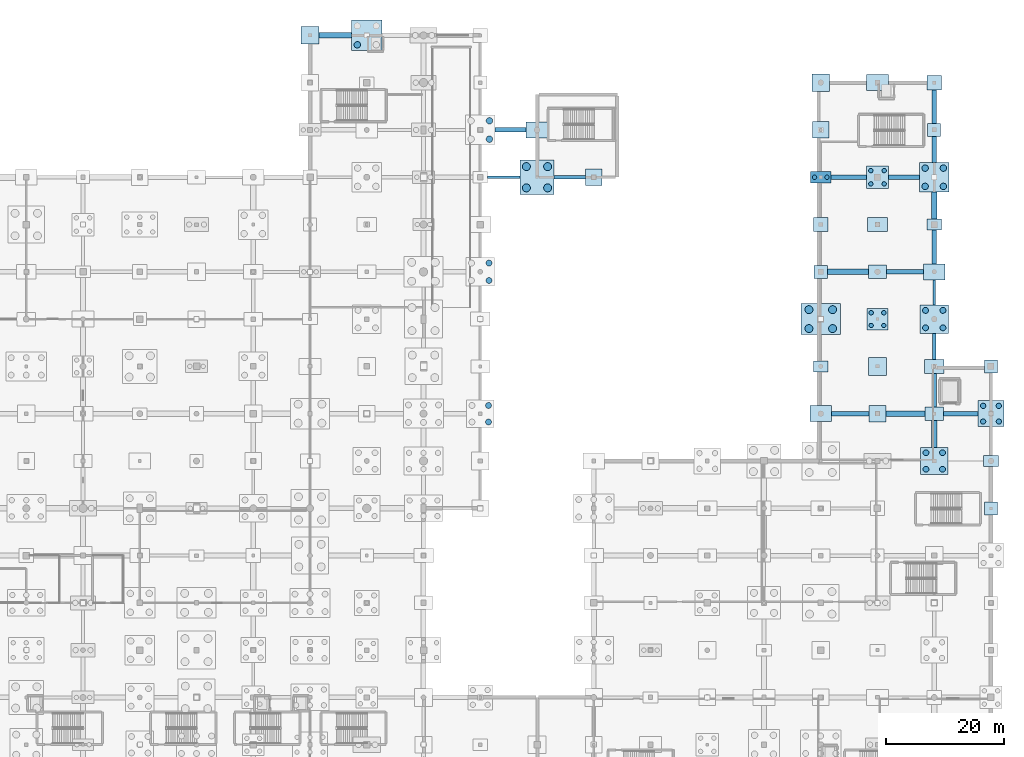
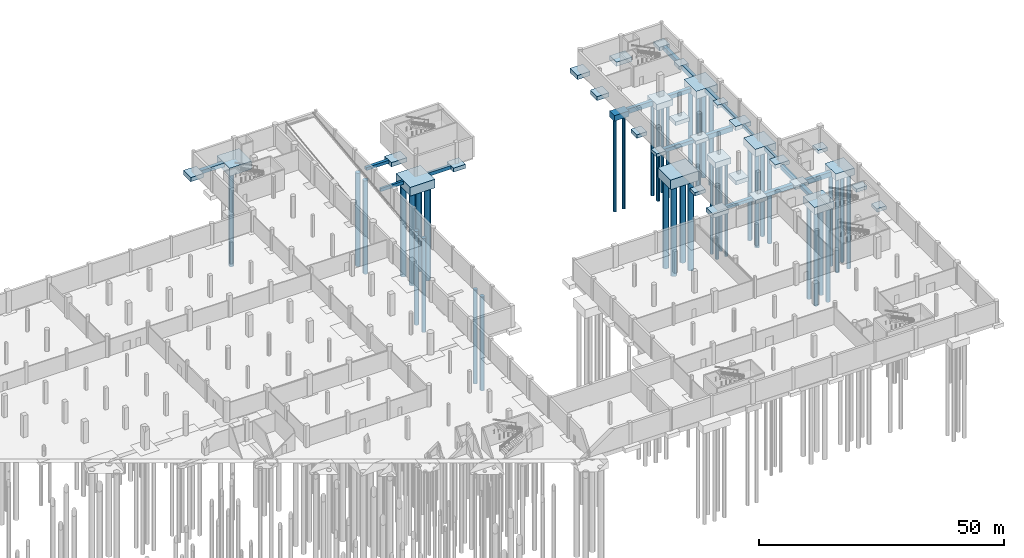
# One storey, part 12 of 44: 52 footings, 41 piles.
"""IFC4 building model written with IfcOpenShell, lengths in metres."""

from ifc_helpers import new_model, si_unit, direction, frame, origin, origin_2d, place, context, subcontext, project, spatial, rectangle, circle, extrude, material, material_profile, profile_set, type_object, element, save


model = new_model("IFC4")

# Units and contexts
model_context = context("Model", 3, precision=1e-05, world=origin(), true_north=direction((0.0, 1.0)))
body_context = subcontext(model_context, "Body", "Model", "MODEL_VIEW")
ifc_project = project(units=[si_unit("LENGTHUNIT", "METRE"), si_unit("AREAUNIT", "SQUARE_METRE"), si_unit("VOLUMEUNIT", "CUBIC_METRE"), si_unit("PLANEANGLEUNIT", "RADIAN"), si_unit("MASSUNIT", "GRAM", prefix="KILO")], contexts=[model_context])

# Site, building, storey
site_placement = place(None, origin())
site = spatial("IfcSite", under=ifc_project, at=site_placement, CompositionType="ELEMENT")
building_placement = place(site_placement, origin())
building = spatial("IfcBuilding", under=site, at=building_placement, Name="Danafjord Basin Convention Centre", CompositionType="ELEMENT")
storey_placement = place(building_placement, frame((0.0, 0.0, -5.39990234375)))
storey = spatial("IfcBuildingStorey", under=building, at=storey_placement, Name="B1", CompositionType="ELEMENT", Elevation=-5.39990234375)

# Footings
ifc_material_1 = material(Name="Concrete C40/50", Category="concrete")
footing_type_1 = type_object("IfcFootingType", Name="CAP-PC-01", PredefinedType="PILE_CAP", material=ifc_material_1)
footing_1_placement = place(storey_placement, frame((182.39990234375, 112.0, -1.900146484375), z_axis=(0.0, 0.0, 1.0), x_axis=(1.0, 0.0, 0.0)))
element("IfcFooting", 1, at=footing_1_placement, inside=storey, type_object=footing_type_1, Name="B1 pile cap PC-01 at (182.4, 112.0)", PredefinedType="PILE_CAP", context=body_context, shape_type="SweptSolid", body=[
    extrude(rectangle(XDim=3.5, YDim=2.0, at=origin_2d()), origin(), (0.0, 0.0, 1.0), 1.39990234375),
])
footing_type_2 = type_object("IfcFootingType", Name="CAP-PC-06", PredefinedType="PILE_CAP", material=ifc_material_1)
footing_2_placement = place(storey_placement, frame((192.0, 88.0, -2.0), z_axis=(0.0, 0.0, 1.0), x_axis=(1.0, 0.0, 0.0)))
element("IfcFooting", 2, at=footing_2_placement, inside=storey, type_object=footing_type_2, Name="B1 pile cap PC-06 at (192.0, 88.0)", PredefinedType="PILE_CAP", context=body_context, shape_type="SweptSolid", body=[
    extrude(rectangle(XDim=3.60009765625, YDim=3.60009765625, at=origin_2d()), origin(), (0.0, 0.0, 1.0), 1.5),
])
footing_type_3 = type_object("IfcFootingType", Name="CAP-PC-07", PredefinedType="PILE_CAP", material=ifc_material_1)
footing_3_placement = place(storey_placement, frame((192.0, 112.0, -2.05029296875), z_axis=(0.0, 0.0, 1.0), x_axis=(1.0, 0.0, 0.0)))
element("IfcFooting", 3, at=footing_3_placement, inside=storey, type_object=footing_type_3, Name="B1 pile cap PC-07 at (192.0, 112.0)", PredefinedType="PILE_CAP", context=body_context, shape_type="SweptSolid", body=[
    extrude(rectangle(XDim=3.800048828125, YDim=3.800048828125, at=origin_2d()), origin(), (0.0, 0.0, 1.0), 1.550048828125),
])
footing_type_4 = type_object("IfcFootingType", Name="CAP-PC-09", PredefinedType="PILE_CAP", material=ifc_material_1)
footing_4_placement = place(storey_placement, frame((211.199951171875, 72.0, -1.7001953125), z_axis=(0.0, 0.0, 1.0), x_axis=(1.0, 0.0, 0.0)))
element("IfcFooting", 4, at=footing_4_placement, inside=storey, type_object=footing_type_4, Name="B1 pile cap PC-09 at (211.2, 72.0)", PredefinedType="PILE_CAP", context=body_context, shape_type="SweptSolid", body=[
    extrude(rectangle(XDim=4.39990234375, YDim=4.39990234375, at=origin_2d()), origin(), (0.0, 0.0, 1.0), 1.699951171875),
])
footing_type_5 = type_object("IfcFootingType", Name="CAP-PC-10", PredefinedType="PILE_CAP", material=ifc_material_1)
footing_5_placement = place(storey_placement, frame((201.60009765625, 64.0, -1.80029296875), z_axis=(0.0, 0.0, 1.0), x_axis=(1.0, 0.0, 0.0)))
element("IfcFooting", 5, at=footing_5_placement, inside=storey, type_object=footing_type_5, Name="B1 pile cap PC-10 at (201.6, 64.0)", PredefinedType="PILE_CAP", context=body_context, shape_type="SweptSolid", body=[
    extrude(rectangle(XDim=4.60009765625, YDim=4.60009765625, at=origin_2d()), origin(), (0.0, 0.0, 1.0), 1.800048828125),
])
footing_type_6 = type_object("IfcFootingType", Name="CAP-PC-11", PredefinedType="PILE_CAP", material=ifc_material_1)
footing_6_placement = place(storey_placement, frame((201.60009765625, 88.0, -1.85009765625), z_axis=(0.0, 0.0, 1.0), x_axis=(1.0, 0.0, 0.0)))
element("IfcFooting", 6, at=footing_6_placement, inside=storey, type_object=footing_type_6, Name="B1 pile cap PC-11 at (201.6, 88.0)", PredefinedType="PILE_CAP", context=body_context, shape_type="SweptSolid", body=[
    extrude(rectangle(XDim=4.800048828125, YDim=4.800048828125, at=origin_2d()), origin(), (0.0, 0.0, 1.0), 1.85009765625),
])
footing_type_7 = type_object("IfcFootingType", Name="CAP-PC-12", PredefinedType="PILE_CAP", material=ifc_material_1)
footing_7_placement = place(storey_placement, frame((201.60009765625, 112.0, -1.9501953125), z_axis=(0.0, 0.0, 1.0), x_axis=(1.0, 0.0, 0.0)))
element("IfcFooting", 7, at=footing_7_placement, inside=storey, type_object=footing_type_7, Name="B1 pile cap PC-12 at (201.6, 112.0)", PredefinedType="PILE_CAP", context=body_context, shape_type="SweptSolid", body=[
    extrude(rectangle(XDim=5.0, YDim=5.0, at=origin_2d()), origin(), (0.0, 0.0, 1.0), 1.949951171875),
])
footing_type_8 = type_object("IfcFootingType", Name="CAP-PC-13", PredefinedType="PILE_CAP", material=ifc_material_1)
footing_8_placement = place(storey_placement, frame((105.60009765625, 136.0, -2.0), z_axis=(0.0, 0.0, 1.0), x_axis=(1.0, 0.0, 0.0)))
element("IfcFooting", 8, at=footing_8_placement, inside=storey, type_object=footing_type_8, Name="B1 pile cap PC-13 at (105.6, 136.0)", PredefinedType="PILE_CAP", context=body_context, shape_type="SweptSolid", body=[
    extrude(rectangle(XDim=5.199951171875, YDim=5.199951171875, at=origin_2d()), origin(), (0.0, 0.0, 1.0), 2.0),
])
footing_type_9 = type_object("IfcFootingType", Name="CAP-PC-15", PredefinedType="PILE_CAP", material=ifc_material_1)
footing_9_placement = place(storey_placement, frame((134.39990234375, 112.0, -2.150146484375), z_axis=(0.0, 0.0, 1.0), x_axis=(1.0, 0.0, 0.0)))
element("IfcFooting", 9, at=footing_9_placement, inside=storey, type_object=footing_type_9, Name="B1 pile cap PC-15 at (134.4, 112.0)", PredefinedType="PILE_CAP", context=body_context, shape_type="SweptSolid", body=[
    extrude(rectangle(XDim=5.800048828125, YDim=5.800048828125, at=origin_2d()), origin(), (0.0, 0.0, 1.0), 2.14990234375),
])
footing_type_10 = type_object("IfcFootingType", Name="CAP-PC-22", PredefinedType="PILE_CAP", material=ifc_material_1)
footing_10_placement = place(storey_placement, frame((182.39990234375, 88.0, -2.900146484375), z_axis=(0.0, 0.0, 1.0), x_axis=(1.0, 0.0, 0.0)))
element("IfcFooting", 10, at=footing_10_placement, inside=storey, type_object=footing_type_10, Name="B1 pile cap PC-22 at (182.4, 88.0)", PredefinedType="PILE_CAP", context=body_context, shape_type="SweptSolid", body=[
    extrude(rectangle(XDim=6.60009765625, YDim=5.199951171875, at=origin_2d()), origin(), (0.0, 0.0, 1.0), 2.39990234375),
])
ifc_material_profile_1 = material_profile(ifc_material_1, rectangle(XDim=0.800048828125, YDim=1.0, at=origin_2d()), Name="GB 800x1000")
ifc_profile_set_1 = profile_set([ifc_material_profile_1], Name="Concrete C40/50")
footing_type_11 = type_object("IfcFootingType", Name="FBM-FB-01", PredefinedType="FOOTING_BEAM", material=ifc_profile_set_1)
footing_11_placement = place(storey_placement, frame((193.89990234375, 112.0, -1.0), z_axis=(1.0, 0.0, 0.0), x_axis=(0.0, 1.0, 0.0)))
element("IfcFooting", 11, at=footing_11_placement, inside=storey, type_object=footing_type_11, Name="B1 foundation beam FB-01", PredefinedType="FOOTING_BEAM", context=body_context, shape_type="SweptSolid", body=[
    extrude(rectangle(XDim=0.800048828125, YDim=1.0, at=origin_2d()), origin(), (0.0, 0.0, 1.0), 5.2001953125),
])
footing_12_placement = place(storey_placement, frame((201.60009765625, 73.125, -1.0), z_axis=(0.0, 1.0, 0.0), x_axis=(-1.0, 0.0, 0.0)))
element("IfcFooting", 12, at=footing_12_placement, inside=storey, type_object=footing_type_11, Name="B1 foundation tie beam FB-01", PredefinedType="FOOTING_BEAM", context=body_context, shape_type="SweptSolid", body=[
    extrude(rectangle(XDim=0.800048828125, YDim=1.0, at=origin_2d()), origin(), (0.0, 0.0, 1.0), 5.675048828125),
])
footing_13_placement = place(storey_placement, frame((201.60009765625, 121.10009765625, -0.5), z_axis=(0.0, 1.0, 0.0), x_axis=(-1.0, 0.0, 0.0)))
element("IfcFooting", 13, at=footing_13_placement, inside=storey, type_object=footing_type_11, Name="B1 foundation tie beam FB-01", PredefinedType="FOOTING_BEAM", context=body_context, shape_type="SweptSolid", body=[
    extrude(rectangle(XDim=0.800048828125, YDim=1.0, at=origin_2d()), origin(), (0.0, 0.0, 1.0), 5.699951171875),
])
ifc_material_profile_2 = material_profile(ifc_material_1, rectangle(XDim=0.60009765625, YDim=0.89990234375, at=origin_2d()), Name="GB 600x900")
ifc_profile_set_2 = profile_set([ifc_material_profile_2], Name="Concrete C40/50")
footing_type_12 = type_object("IfcFootingType", Name="FBM-FB-02", PredefinedType="FOOTING_BEAM", material=ifc_profile_set_2)
footing_14_placement = place(storey_placement, frame((137.300048828125, 112.0, -0.4501953125), z_axis=(1.0, 0.0, 0.0), x_axis=(0.0, 1.0, 0.0)))
element("IfcFooting", 14, at=footing_14_placement, inside=storey, type_object=footing_type_12, Name="B1 foundation beam FB-02", PredefinedType="FOOTING_BEAM", context=body_context, shape_type="SweptSolid", body=[
    extrude(rectangle(XDim=0.60009765625, YDim=0.89990234375, at=origin_2d()), origin(), (0.0, 0.0, 1.0), 5.300048828125),
])
footing_15_placement = place(storey_placement, frame((201.60009765625, 81.199951171875, -0.4501953125), z_axis=(0.0, 1.0, 0.0), x_axis=(-1.0, 0.0, 0.0)))
element("IfcFooting", 15, at=footing_15_placement, inside=storey, type_object=footing_type_12, Name="B1 foundation tie beam FB-02", PredefinedType="FOOTING_BEAM", context=body_context, shape_type="SweptSolid", body=[
    extrude(rectangle(XDim=0.60009765625, YDim=0.89990234375, at=origin_2d()), origin(), (0.0, 0.0, 1.0), 4.400146484375),
])
ifc_material_profile_3 = material_profile(ifc_material_1, rectangle(XDim=0.5, YDim=0.800048828125, at=origin_2d()), Name="PCB 500x800")
ifc_profile_set_3 = profile_set([ifc_material_profile_3], Name="Concrete C40/50")
footing_type_13 = type_object("IfcFootingType", Name="FBM-FB-03", PredefinedType="FOOTING_BEAM", material=ifc_profile_set_3)
footing_16_placement = place(storey_placement, frame((126.050048828125, 112.0, -0.400146484375), z_axis=(1.0, 0.0, 0.0), x_axis=(0.0, 1.0, 0.0)))
element("IfcFooting", 16, at=footing_16_placement, inside=storey, type_object=footing_type_13, Name="B1 foundation beam FB-03", PredefinedType="FOOTING_BEAM", context=body_context, shape_type="SweptSolid", body=[
    extrude(rectangle(XDim=0.5, YDim=0.800048828125, at=origin_2d()), origin(), (0.0, 0.0, 1.0), 5.449951171875),
])
footing_17_placement = place(storey_placement, frame((201.60009765625, 90.39990234375, -0.400146484375), z_axis=(0.0, 1.0, 0.0), x_axis=(-1.0, 0.0, 0.0)))
element("IfcFooting", 17, at=footing_17_placement, inside=storey, type_object=footing_type_13, Name="B1 foundation tie beam FB-03", PredefinedType="FOOTING_BEAM", context=body_context, shape_type="SweptSolid", body=[
    extrude(rectangle(XDim=0.5, YDim=0.800048828125, at=origin_2d()), origin(), (0.0, 0.0, 1.0), 4.25),
])
ifc_material_profile_4 = material_profile(ifc_material_1, rectangle(XDim=0.75, YDim=0.75, at=origin_2d()), Name="RC 750x750")
ifc_profile_set_4 = profile_set([ifc_material_profile_4], Name="Concrete C40/50")
footing_type_14 = type_object("IfcFootingType", Name="FBM-FB-04", PredefinedType="FOOTING_BEAM", material=ifc_profile_set_4)
footing_18_placement = place(storey_placement, frame((127.300048828125, 120.0, -0.375), z_axis=(1.0, 0.0, 0.0), x_axis=(0.0, 1.0, 0.0)))
element("IfcFooting", 18, at=footing_18_placement, inside=storey, type_object=footing_type_14, Name="B1 foundation beam FB-04", PredefinedType="FOOTING_BEAM", context=body_context, shape_type="SweptSolid", body=[
    extrude(rectangle(XDim=0.75, YDim=0.75, at=origin_2d()), origin(), (0.0, 0.0, 1.0), 5.25),
])
footing_19_placement = place(storey_placement, frame((184.25, 72.0, -0.875), z_axis=(1.0, 0.0, 0.0), x_axis=(0.0, 1.0, 0.0)))
element("IfcFooting", 19, at=footing_19_placement, inside=storey, type_object=footing_type_14, Name="B1 foundation beam FB-04", PredefinedType="FOOTING_BEAM", context=body_context, shape_type="SweptSolid", body=[
    extrude(rectangle(XDim=0.75, YDim=0.75, at=origin_2d()), origin(), (0.0, 0.0, 1.0), 6.35009765625),
])
footing_20_placement = place(storey_placement, frame((201.60009765625, 97.35009765625, -0.375), z_axis=(0.0, 1.0, 0.0), x_axis=(-1.0, 0.0, 0.0)))
element("IfcFooting", 20, at=footing_20_placement, inside=storey, type_object=footing_type_14, Name="B1 foundation tie beam FB-04", PredefinedType="FOOTING_BEAM", context=body_context, shape_type="SweptSolid", body=[
    extrude(rectangle(XDim=0.75, YDim=0.75, at=origin_2d()), origin(), (0.0, 0.0, 1.0), 5.699951171875),
])
ifc_material_profile_5 = material_profile(ifc_material_1, rectangle(XDim=0.89990234375, YDim=0.89990234375, at=origin_2d()), Name="RC 900x900")
ifc_profile_set_5 = profile_set([ifc_material_profile_5], Name="Concrete C40/50")
footing_type_15 = type_object("IfcFootingType", Name="FBM-FB-05", PredefinedType="FOOTING_BEAM", material=ifc_profile_set_5)
footing_21_placement = place(storey_placement, frame((97.5, 136.0, -0.4501953125), z_axis=(1.0, 0.0, 0.0), x_axis=(0.0, 1.0, 0.0)))
element("IfcFooting", 21, at=footing_21_placement, inside=storey, type_object=footing_type_15, Name="B1 foundation beam FB-05", PredefinedType="FOOTING_BEAM", context=body_context, shape_type="SweptSolid", body=[
    extrude(rectangle(XDim=0.89990234375, YDim=0.89990234375, at=origin_2d()), origin(), (0.0, 0.0, 1.0), 5.5),
])
footing_22_placement = place(storey_placement, frame((183.5, 96.0, -0.9501953125), z_axis=(1.0, 0.0, 0.0), x_axis=(0.0, 1.0, 0.0)))
element("IfcFooting", 22, at=footing_22_placement, inside=storey, type_object=footing_type_15, Name="B1 foundation beam FB-05", PredefinedType="FOOTING_BEAM", context=body_context, shape_type="SweptSolid", body=[
    extrude(rectangle(XDim=0.89990234375, YDim=0.89990234375, at=origin_2d()), origin(), (0.0, 0.0, 1.0), 6.949951171875),
])
footing_23_placement = place(storey_placement, frame((193.39990234375, 72.0, -0.9501953125), z_axis=(1.0, 0.0, 0.0), x_axis=(0.0, 1.0, 0.0)))
element("IfcFooting", 23, at=footing_23_placement, inside=storey, type_object=footing_type_15, Name="B1 foundation beam FB-05", PredefinedType="FOOTING_BEAM", context=body_context, shape_type="SweptSolid", body=[
    extrude(rectangle(XDim=0.89990234375, YDim=0.89990234375, at=origin_2d()), origin(), (0.0, 0.0, 1.0), 6.650146484375),
])
footing_24_placement = place(storey_placement, frame((201.60009765625, 66.300048828125, -0.9501953125), z_axis=(0.0, 1.0, 0.0), x_axis=(-1.0, 0.0, 0.0)))
element("IfcFooting", 24, at=footing_24_placement, inside=storey, type_object=footing_type_15, Name="B1 foundation tie beam FB-05", PredefinedType="FOOTING_BEAM", context=body_context, shape_type="SweptSolid", body=[
    extrude(rectangle(XDim=0.89990234375, YDim=0.89990234375, at=origin_2d()), origin(), (0.0, 0.0, 1.0), 4.574951171875),
])
footing_25_placement = place(storey_placement, frame((201.60009765625, 104.949951171875, -0.4501953125), z_axis=(0.0, 1.0, 0.0), x_axis=(-1.0, 0.0, 0.0)))
element("IfcFooting", 25, at=footing_25_placement, inside=storey, type_object=footing_type_15, Name="B1 foundation tie beam FB-05", PredefinedType="FOOTING_BEAM", context=body_context, shape_type="SweptSolid", body=[
    extrude(rectangle(XDim=0.89990234375, YDim=0.89990234375, at=origin_2d()), origin(), (0.0, 0.0, 1.0), 4.550048828125),
])
ifc_material_profile_6 = material_profile(ifc_material_1, rectangle(XDim=0.800048828125, YDim=1.199951171875, at=origin_2d()), Name="RC 1200x800")
ifc_profile_set_6 = profile_set([ifc_material_profile_6], Name="Concrete C40/50")
footing_type_16 = type_object("IfcFootingType", Name="FBM-FB-06", PredefinedType="FOOTING_BEAM", material=ifc_profile_set_6)
footing_26_placement = place(storey_placement, frame((184.14990234375, 112.0, -1.10009765625), z_axis=(1.0, 0.0, 0.0), x_axis=(0.0, 1.0, 0.0)))
element("IfcFooting", 26, at=footing_26_placement, inside=storey, type_object=footing_type_16, Name="B1 foundation beam FB-06", PredefinedType="FOOTING_BEAM", context=body_context, shape_type="SweptSolid", body=[
    extrude(rectangle(XDim=0.800048828125, YDim=1.199951171875, at=origin_2d()), origin(), (0.0, 0.0, 1.0), 5.9501953125),
])
footing_27_placement = place(storey_placement, frame((193.550048828125, 96.0, -1.10009765625), z_axis=(1.0, 0.0, 0.0), x_axis=(0.0, 1.0, 0.0)))
element("IfcFooting", 27, at=footing_27_placement, inside=storey, type_object=footing_type_16, Name="B1 foundation beam FB-06", PredefinedType="FOOTING_BEAM", context=body_context, shape_type="SweptSolid", body=[
    extrude(rectangle(XDim=0.800048828125, YDim=1.199951171875, at=origin_2d()), origin(), (0.0, 0.0, 1.0), 6.199951171875),
])
footing_28_placement = place(storey_placement, frame((203.14990234375, 72.0, -1.10009765625), z_axis=(1.0, 0.0, 0.0), x_axis=(0.0, 1.0, 0.0)))
element("IfcFooting", 28, at=footing_28_placement, inside=storey, type_object=footing_type_16, Name="B1 foundation beam FB-06", PredefinedType="FOOTING_BEAM", context=body_context, shape_type="SweptSolid", body=[
    extrude(rectangle(XDim=0.800048828125, YDim=1.199951171875, at=origin_2d()), origin(), (0.0, 0.0, 1.0), 5.85009765625),
])
footing_29_placement = place(storey_placement, frame((201.60009765625, 114.5, -0.60009765625), z_axis=(0.0, 1.0, 0.0), x_axis=(-1.0, 0.0, 0.0)))
element("IfcFooting", 29, at=footing_29_placement, inside=storey, type_object=footing_type_16, Name="B1 foundation tie beam FB-06", PredefinedType="FOOTING_BEAM", context=body_context, shape_type="SweptSolid", body=[
    extrude(rectangle(XDim=0.800048828125, YDim=1.199951171875, at=origin_2d()), origin(), (0.0, 0.0, 1.0), 4.39990234375),
])
ifc_material_2 = material(Name="Concrete C35/45", Category="concrete")
footing_type_17 = type_object("IfcFootingType", Name="PAD-PF-02", PredefinedType="PAD_FOOTING", material=ifc_material_2)
for number, where, z_axis, x_axis, name in (
    (30, (182.39990234375, 96.0, -1.35009765625), (0.0, 0.0, 1.0), (1.0, 0.0, 0.0), "B1 pad footing PF-02 at (182.4, 96.0)"),
    (31, (201.60009765625, 120.0, -0.85009765625), (0.0, 0.0, 1.0), (1.0, 0.0, 0.0), "B1 pad footing PF-02 at (201.6, 120.0)"),
    (32, (211.199951171875, 56.0, -0.85009765625), (0.0, 0.0, 1.0), (1.0, 0.0, 0.0), "B1 pad footing PF-02 at (211.2, 56.0)"),
    (33, (211.199951171875, 80.0, -0.85009765625), (0.0, 0.0, 1.0), (1.0, 0.0, 0.0), "B1 pad footing PF-02 at (211.2, 80.0)"),
):
    element("IfcFooting", number, at=place(storey_placement, frame(where, z_axis=z_axis, x_axis=x_axis)), inside=storey, type_object=footing_type_17, Name=name, PredefinedType="PAD_FOOTING", context=body_context, shape_type="SweptSolid", body=[
        extrude(rectangle(XDim=2.199951171875, YDim=2.199951171875, at=origin_2d()), origin(), (0.0, 0.0, 1.0), 0.85009765625),
    ])
footing_type_18 = type_object("IfcFootingType", Name="PAD-PF-03", PredefinedType="PAD_FOOTING", material=ifc_material_2)
for number, where, z_axis, x_axis, name in (
    (34, (182.39990234375, 104.0, -1.400146484375), (0.0, 0.0, 1.0), (1.0, 0.0, 0.0), "B1 pad footing PF-03 at (182.4, 104.0)"),
    (35, (201.60009765625, 128.0, -0.900146484375), (0.0, 0.0, 1.0), (1.0, 0.0, 0.0), "B1 pad footing PF-03 at (201.6, 128.0)"),
):
    element("IfcFooting", number, at=place(storey_placement, frame(where, z_axis=z_axis, x_axis=x_axis)), inside=storey, type_object=footing_type_18, Name=name, PredefinedType="PAD_FOOTING", context=body_context, shape_type="SweptSolid", body=[
        extrude(rectangle(XDim=2.39990234375, YDim=2.39990234375, at=origin_2d()), origin(), (0.0, 0.0, 1.0), 0.89990234375),
    ])
footing_type_19 = type_object("IfcFootingType", Name="PAD-PF-05", PredefinedType="PAD_FOOTING", material=ifc_material_2)
for number, where, z_axis, x_axis, name in (
    (36, (144.0, 112.0, -1.0), (0.0, 0.0, 1.0), (1.0, 0.0, 0.0), "B1 pad footing PF-05 at (144.0, 112.0)"),
    (37, (182.39990234375, 120.0, -1.5), (0.0, 0.0, 1.0), (1.0, 0.0, 0.0), "B1 pad footing PF-05 at (182.4, 120.0)"),
    (38, (192.0, 72.0, -1.5), (0.0, 0.0, 1.0), (1.0, 0.0, 0.0), "B1 pad footing PF-05 at (192.0, 72.0)"),
):
    element("IfcFooting", number, at=place(storey_placement, frame(where, z_axis=z_axis, x_axis=x_axis)), inside=storey, type_object=footing_type_19, Name=name, PredefinedType="PAD_FOOTING", context=body_context, shape_type="SweptSolid", body=[
        extrude(rectangle(XDim=2.800048828125, YDim=2.800048828125, at=origin_2d()), origin(), (0.0, 0.0, 1.0), 1.0),
    ])
footing_type_20 = type_object("IfcFootingType", Name="PAD-PF-06", PredefinedType="PAD_FOOTING", material=ifc_material_2)
for number, where, z_axis, x_axis, name in (
    (39, (96.0, 136.0, -1.05029296875), (0.0, 0.0, 1.0), (1.0, 0.0, 0.0), "B1 pad footing PF-06 at (96.0, 136.0)"),
    (40, (182.39990234375, 128.0, -1.05029296875), (0.0, 0.0, 1.0), (1.0, 0.0, 0.0), "B1 pad footing PF-06 at (182.4, 128.0)"),
    (41, (192.0, 80.0, -1.55029296875), (0.0, 0.0, 1.0), (1.0, 0.0, 0.0), "B1 pad footing PF-06 at (192.0, 80.0)"),
):
    element("IfcFooting", number, at=place(storey_placement, frame(where, z_axis=z_axis, x_axis=x_axis)), inside=storey, type_object=footing_type_20, Name=name, PredefinedType="PAD_FOOTING", context=body_context, shape_type="SweptSolid", body=[
        extrude(rectangle(XDim=3.0, YDim=3.0, at=origin_2d()), origin(), (0.0, 0.0, 1.0), 1.050048828125),
    ])
footing_type_21 = type_object("IfcFootingType", Name="PAD-PF-08", PredefinedType="PAD_FOOTING", material=ifc_material_2)
for number, where, z_axis, x_axis, name in (
    (42, (192.0, 96.0, -1.400146484375), (0.0, 0.0, 1.0), (1.0, 0.0, 0.0), "B1 pad footing PF-08 at (192.0, 96.0)"),
    (43, (201.60009765625, 72.0, -1.400146484375), (0.0, 0.0, 1.0), (1.0, 0.0, 0.0), "B1 pad footing PF-08 at (201.6, 72.0)"),
):
    element("IfcFooting", number, at=place(storey_placement, frame(where, z_axis=z_axis, x_axis=x_axis)), inside=storey, type_object=footing_type_21, Name=name, PredefinedType="PAD_FOOTING", context=body_context, shape_type="SweptSolid", body=[
        extrude(rectangle(XDim=3.10009765625, YDim=2.25, at=origin_2d()), origin(), (0.0, 0.0, 1.0), 0.89990234375),
    ])
footing_type_22 = type_object("IfcFootingType", Name="PAD-PF-09", PredefinedType="PAD_FOOTING", material=ifc_material_2)
for number, where, z_axis, x_axis, name in (
    (44, (192.0, 104.0, -1.4501953125), (0.0, 0.0, 1.0), (1.0, 0.0, 0.0), "B1 pad footing PF-09 at (192.0, 104.0)"),
    (45, (201.60009765625, 80.0, -0.9501953125), (0.0, 0.0, 1.0), (1.0, 0.0, 0.0), "B1 pad footing PF-09 at (201.6, 80.0)"),
):
    element("IfcFooting", number, at=place(storey_placement, frame(where, z_axis=z_axis, x_axis=x_axis)), inside=storey, type_object=footing_type_22, Name=name, PredefinedType="PAD_FOOTING", context=body_context, shape_type="SweptSolid", body=[
        extrude(rectangle(XDim=3.300048828125, YDim=2.39990234375, at=origin_2d()), origin(), (0.0, 0.0, 1.0), 0.949951171875),
    ])
footing_type_23 = type_object("IfcFootingType", Name="PAD-PF-11", PredefinedType="PAD_FOOTING", material=ifc_material_2)
for number, where, z_axis, x_axis, name in (
    (46, (134.39990234375, 120.0, -1.05029296875), (0.0, 0.0, 1.0), (1.0, 0.0, 0.0), "B1 pad footing PF-11 at (134.4, 120.0)"),
    (47, (182.39990234375, 72.0, -1.55029296875), (0.0, 0.0, 1.0), (1.0, 0.0, 0.0), "B1 pad footing PF-11 at (182.4, 72.0)"),
    (48, (192.0, 128.0, -1.05029296875), (0.0, 0.0, 1.0), (1.0, 0.0, 0.0), "B1 pad footing PF-11 at (192.0, 128.0)"),
    (49, (201.60009765625, 96.0, -1.05029296875), (0.0, 0.0, 1.0), (1.0, 0.0, 0.0), "B1 pad footing PF-11 at (201.6, 96.0)"),
):
    element("IfcFooting", number, at=place(storey_placement, frame(where, z_axis=z_axis, x_axis=x_axis)), inside=storey, type_object=footing_type_23, Name=name, PredefinedType="PAD_FOOTING", context=body_context, shape_type="SweptSolid", body=[
        extrude(rectangle(XDim=3.699951171875, YDim=2.699951171875, at=origin_2d()), origin(), (0.0, 0.0, 1.0), 1.050048828125),
    ])
footing_type_24 = type_object("IfcFootingType", Name="PAD-PF-12", PredefinedType="PAD_FOOTING", material=ifc_material_2)
for number, where, z_axis, x_axis, name in (
    (50, (182.39990234375, 80.0, -1.30029296875), (0.0, 0.0, 1.0), (1.0, 0.0, 0.0), "B1 pad footing PF-12 at (182.4, 80.0)"),
    (51, (201.60009765625, 104.0, -0.80029296875), (0.0, 0.0, 1.0), (1.0, 0.0, 0.0), "B1 pad footing PF-12 at (201.6, 104.0)"),
    (52, (211.199951171875, 64.0, -0.80029296875), (0.0, 0.0, 1.0), (1.0, 0.0, 0.0), "B1 pad footing PF-12 at (211.2, 64.0)"),
):
    element("IfcFooting", number, at=place(storey_placement, frame(where, z_axis=z_axis, x_axis=x_axis)), inside=storey, type_object=footing_type_24, Name=name, PredefinedType="PAD_FOOTING", context=body_context, shape_type="SweptSolid", body=[
        extrude(rectangle(XDim=2.5, YDim=1.89990234375, at=origin_2d()), origin(), (0.0, 0.0, 1.0), 0.800048828125),
    ])

# Piles
ifc_material_profile_7 = material_profile(ifc_material_1, circle(Radius=0.5, at=origin_2d()), Name="PILE D1000")
ifc_profile_set_7 = profile_set([ifc_material_profile_7], Name="Concrete C40/50")
pile_type_1 = type_object("IfcPileType", Name="PILE-PL-1000", PredefinedType="BORED", material=ifc_profile_set_7)
for number, where, z_axis, x_axis, name in (
    (53, (126.199951171875, 70.60009765625, -1.7001953125), (0.0, 0.0, -1.0), (1.0, 0.0, 0.0), "PC-10 bored pile 2-1"),
    (54, (126.199951171875, 73.39990234375, -1.7001953125), (0.0, 0.0, -1.0), (1.0, 0.0, 0.0), "PC-10 bored pile 2-2"),
):
    element("IfcPile", number, at=place(storey_placement, frame(where, z_axis=z_axis, x_axis=x_axis)), inside=storey, type_object=pile_type_1, Name=name, PredefinedType="BORED", context=body_context, shape_type="SweptSolid", body=[
        extrude(circle(Radius=0.5, at=origin_2d()), origin(), (0.0, 0.0, 1.0), 23.39990234375),
    ])
for number, where, z_axis, x_axis, name in (
    (55, (126.27490234375, 94.52490234375, -1.75), (0.0, 0.0, -1.0), (1.0, 0.0, 0.0), "PC-11 bored pile 2-1"),
    (56, (126.27490234375, 97.47509765625, -1.75), (0.0, 0.0, -1.0), (1.0, 0.0, 0.0), "PC-11 bored pile 2-2"),
):
    element("IfcPile", number, at=place(storey_placement, frame(where, z_axis=z_axis, x_axis=x_axis)), inside=storey, type_object=pile_type_1, Name=name, PredefinedType="BORED", context=body_context, shape_type="SweptSolid", body=[
        extrude(circle(Radius=0.5, at=origin_2d()), origin(), (0.0, 0.0, 1.0), 23.35009765625),
    ])
for number, where, z_axis, x_axis, name in (
    (57, (200.199951171875, 62.60009765625, -1.7001953125), (0.0, 0.0, -1.0), (1.0, 0.0, 0.0), "PC-10 bored pile 1-1"),
    (58, (200.199951171875, 65.39990234375, -1.7001953125), (0.0, 0.0, -1.0), (1.0, 0.0, 0.0), "PC-10 bored pile 1-2"),
    (59, (203.0, 62.60009765625, -1.7001953125), (0.0, 0.0, -1.0), (1.0, 0.0, 0.0), "PC-10 bored pile 2-1"),
    (60, (203.0, 65.39990234375, -1.7001953125), (0.0, 0.0, -1.0), (1.0, 0.0, 0.0), "PC-10 bored pile 2-2"),
):
    element("IfcPile", number, at=place(storey_placement, frame(where, z_axis=z_axis, x_axis=x_axis)), inside=storey, type_object=pile_type_1, Name=name, PredefinedType="BORED", context=body_context, shape_type="SweptSolid", body=[
        extrude(circle(Radius=0.5, at=origin_2d()), origin(), (0.0, 0.0, 1.0), 23.39990234375),
    ])
for number, where, z_axis, x_axis, name in (
    (61, (200.125, 86.52490234375, -1.75), (0.0, 0.0, -1.0), (1.0, 0.0, 0.0), "PC-11 bored pile 1-1"),
    (62, (200.125, 89.47509765625, -1.75), (0.0, 0.0, -1.0), (1.0, 0.0, 0.0), "PC-11 bored pile 1-2"),
    (63, (203.074951171875, 86.52490234375, -1.75), (0.0, 0.0, -1.0), (1.0, 0.0, 0.0), "PC-11 bored pile 2-1"),
    (64, (203.074951171875, 89.47509765625, -1.75), (0.0, 0.0, -1.0), (1.0, 0.0, 0.0), "PC-11 bored pile 2-2"),
):
    element("IfcPile", number, at=place(storey_placement, frame(where, z_axis=z_axis, x_axis=x_axis)), inside=storey, type_object=pile_type_1, Name=name, PredefinedType="BORED", context=body_context, shape_type="SweptSolid", body=[
        extrude(circle(Radius=0.5, at=origin_2d()), origin(), (0.0, 0.0, 1.0), 23.35009765625),
    ])
ifc_material_profile_8 = material_profile(ifc_material_1, circle(Radius=0.550048828125, at=origin_2d()), Name="PILE D1100")
ifc_profile_set_8 = profile_set([ifc_material_profile_8], Name="Concrete C40/50")
pile_type_2 = type_object("IfcPileType", Name="PILE-PL-1100", PredefinedType="BORED", material=ifc_profile_set_8)
pile_placement = place(storey_placement, frame((104.0, 134.39990234375, -1.900146484375), z_axis=(0.0, 0.0, -1.0), x_axis=(1.0, 0.0, 0.0)))
element("IfcPile", 65, at=pile_placement, inside=storey, type_object=pile_type_2, Name="PC-13 bored pile 1-1", PredefinedType="BORED", context=body_context, shape_type="SweptSolid", body=[
    extrude(circle(Radius=0.550048828125, at=origin_2d()), origin(), (0.0, 0.0, 1.0), 23.199951171875),
])
for number, where, z_axis, x_axis, name in (
    (66, (126.35009765625, 118.449951171875, -1.85009765625), (0.0, 0.0, -1.0), (1.0, 0.0, 0.0), "PC-12 bored pile 2-1"),
    (67, (126.35009765625, 121.550048828125, -1.85009765625), (0.0, 0.0, -1.0), (1.0, 0.0, 0.0), "PC-12 bored pile 2-2"),
    (68, (200.050048828125, 110.449951171875, -1.85009765625), (0.0, 0.0, -1.0), (1.0, 0.0, 0.0), "PC-12 bored pile 1-1"),
    (69, (200.050048828125, 113.550048828125, -1.85009765625), (0.0, 0.0, -1.0), (1.0, 0.0, 0.0), "PC-12 bored pile 1-2"),
    (70, (203.14990234375, 110.449951171875, -1.85009765625), (0.0, 0.0, -1.0), (1.0, 0.0, 0.0), "PC-12 bored pile 2-1"),
    (71, (203.14990234375, 113.550048828125, -1.85009765625), (0.0, 0.0, -1.0), (1.0, 0.0, 0.0), "PC-12 bored pile 2-2"),
):
    element("IfcPile", number, at=place(storey_placement, frame(where, z_axis=z_axis, x_axis=x_axis)), inside=storey, type_object=pile_type_2, Name=name, PredefinedType="BORED", context=body_context, shape_type="SweptSolid", body=[
        extrude(circle(Radius=0.550048828125, at=origin_2d()), origin(), (0.0, 0.0, 1.0), 23.25),
    ])
ifc_material_profile_9 = material_profile(ifc_material_1, circle(Radius=0.675048828125, at=origin_2d()), Name="PILE D1350")
ifc_profile_set_9 = profile_set([ifc_material_profile_9], Name="Concrete C40/50")
pile_type_3 = type_object("IfcPileType", Name="PILE-PL-1350", PredefinedType="BORED", material=ifc_profile_set_9)
for number, where, z_axis, x_axis, name in (
    (72, (132.60009765625, 110.199951171875, -2.050048828125), (0.0, 0.0, -1.0), (1.0, 0.0, 0.0), "PC-15 bored pile 1-1"),
    (73, (132.60009765625, 113.800048828125, -2.050048828125), (0.0, 0.0, -1.0), (1.0, 0.0, 0.0), "PC-15 bored pile 1-2"),
    (74, (136.199951171875, 110.199951171875, -2.050048828125), (0.0, 0.0, -1.0), (1.0, 0.0, 0.0), "PC-15 bored pile 2-1"),
    (75, (136.199951171875, 113.800048828125, -2.050048828125), (0.0, 0.0, -1.0), (1.0, 0.0, 0.0), "PC-15 bored pile 2-2"),
):
    element("IfcPile", number, at=place(storey_placement, frame(where, z_axis=z_axis, x_axis=x_axis)), inside=storey, type_object=pile_type_3, Name=name, PredefinedType="BORED", context=body_context, shape_type="SweptSolid", body=[
        extrude(circle(Radius=0.675048828125, at=origin_2d()), origin(), (0.0, 0.0, 1.0), 23.050048828125),
    ])
for number, where, z_axis, x_axis, name in (
    (76, (180.39990234375, 86.39990234375, -2.800048828125), (0.0, 0.0, -1.0), (1.0, 0.0, 0.0), "PC-22 bored pile 1-1"),
    (77, (180.39990234375, 89.60009765625, -2.800048828125), (0.0, 0.0, -1.0), (1.0, 0.0, 0.0), "PC-22 bored pile 1-2"),
    (78, (184.39990234375, 86.39990234375, -2.800048828125), (0.0, 0.0, -1.0), (1.0, 0.0, 0.0), "PC-22 bored pile 2-1"),
    (79, (184.39990234375, 89.60009765625, -2.800048828125), (0.0, 0.0, -1.0), (1.0, 0.0, 0.0), "PC-22 bored pile 2-2"),
):
    element("IfcPile", number, at=place(storey_placement, frame(where, z_axis=z_axis, x_axis=x_axis)), inside=storey, type_object=pile_type_3, Name=name, PredefinedType="BORED", context=body_context, shape_type="SweptSolid", body=[
        extrude(circle(Radius=0.675048828125, at=origin_2d()), origin(), (0.0, 0.0, 1.0), 22.300048828125),
    ])
ifc_material_profile_10 = material_profile(ifc_material_1, circle(Radius=0.375, at=origin_2d()), Name="PILE D750")
ifc_profile_set_10 = profile_set([ifc_material_profile_10], Name="Concrete C40/50")
pile_type_4 = type_object("IfcPileType", Name="PILE-PL-750", PredefinedType="BORED", material=ifc_profile_set_10)
for number, where, z_axis, x_axis, name in (
    (80, (181.35009765625, 112.0, -1.800048828125), (0.0, 0.0, -1.0), (1.0, 0.0, 0.0), "PC-01 bored pile 1-1"),
    (81, (183.449951171875, 112.0, -1.800048828125), (0.0, 0.0, -1.0), (1.0, 0.0, 0.0), "PC-01 bored pile 2-1"),
):
    element("IfcPile", number, at=place(storey_placement, frame(where, z_axis=z_axis, x_axis=x_axis)), inside=storey, type_object=pile_type_4, Name=name, PredefinedType="BORED", context=body_context, shape_type="SweptSolid", body=[
        extrude(circle(Radius=0.375, at=origin_2d()), origin(), (0.0, 0.0, 1.0), 23.300048828125),
    ])
for number, where, z_axis, x_axis, name in (
    (82, (190.925048828125, 86.925048828125, -1.900146484375), (0.0, 0.0, -1.0), (1.0, 0.0, 0.0), "PC-06 bored pile 1-1"),
    (83, (190.925048828125, 89.074951171875, -1.900146484375), (0.0, 0.0, -1.0), (1.0, 0.0, 0.0), "PC-06 bored pile 1-2"),
    (84, (193.074951171875, 86.925048828125, -1.900146484375), (0.0, 0.0, -1.0), (1.0, 0.0, 0.0), "PC-06 bored pile 2-1"),
    (85, (193.074951171875, 89.074951171875, -1.900146484375), (0.0, 0.0, -1.0), (1.0, 0.0, 0.0), "PC-06 bored pile 2-2"),
):
    element("IfcPile", number, at=place(storey_placement, frame(where, z_axis=z_axis, x_axis=x_axis)), inside=storey, type_object=pile_type_4, Name=name, PredefinedType="BORED", context=body_context, shape_type="SweptSolid", body=[
        extrude(circle(Radius=0.375, at=origin_2d()), origin(), (0.0, 0.0, 1.0), 23.199951171875),
    ])
for number, where, z_axis, x_axis, name in (
    (86, (190.875, 110.875, -1.9501953125), (0.0, 0.0, -1.0), (1.0, 0.0, 0.0), "PC-07 bored pile 1-1"),
    (87, (190.875, 113.125, -1.9501953125), (0.0, 0.0, -1.0), (1.0, 0.0, 0.0), "PC-07 bored pile 1-2"),
    (88, (193.125, 110.875, -1.9501953125), (0.0, 0.0, -1.0), (1.0, 0.0, 0.0), "PC-07 bored pile 2-1"),
    (89, (193.125, 113.125, -1.9501953125), (0.0, 0.0, -1.0), (1.0, 0.0, 0.0), "PC-07 bored pile 2-2"),
):
    element("IfcPile", number, at=place(storey_placement, frame(where, z_axis=z_axis, x_axis=x_axis)), inside=storey, type_object=pile_type_4, Name=name, PredefinedType="BORED", context=body_context, shape_type="SweptSolid", body=[
        extrude(circle(Radius=0.375, at=origin_2d()), origin(), (0.0, 0.0, 1.0), 23.14990234375),
    ])
ifc_material_profile_11 = material_profile(ifc_material_1, circle(Radius=0.449951171875, at=origin_2d()), Name="PILE D900")
ifc_profile_set_11 = profile_set([ifc_material_profile_11], Name="Concrete C40/50")
pile_type_5 = type_object("IfcPileType", Name="PILE-PL-900", PredefinedType="BORED", material=ifc_profile_set_11)
for number, where, z_axis, x_axis, name in (
    (90, (209.875, 70.675048828125, -1.60009765625), (0.0, 0.0, -1.0), (1.0, 0.0, 0.0), "PC-09 bored pile 1-1"),
    (91, (209.875, 73.324951171875, -1.60009765625), (0.0, 0.0, -1.0), (1.0, 0.0, 0.0), "PC-09 bored pile 1-2"),
    (92, (212.52490234375, 70.675048828125, -1.60009765625), (0.0, 0.0, -1.0), (1.0, 0.0, 0.0), "PC-09 bored pile 2-1"),
    (93, (212.52490234375, 73.324951171875, -1.60009765625), (0.0, 0.0, -1.0), (1.0, 0.0, 0.0), "PC-09 bored pile 2-2"),
):
    element("IfcPile", number, at=place(storey_placement, frame(where, z_axis=z_axis, x_axis=x_axis)), inside=storey, type_object=pile_type_5, Name=name, PredefinedType="BORED", context=body_context, shape_type="SweptSolid", body=[
        extrude(circle(Radius=0.449951171875, at=origin_2d()), origin(), (0.0, 0.0, 1.0), 23.5),
    ])

save(model, "model.ifc")
